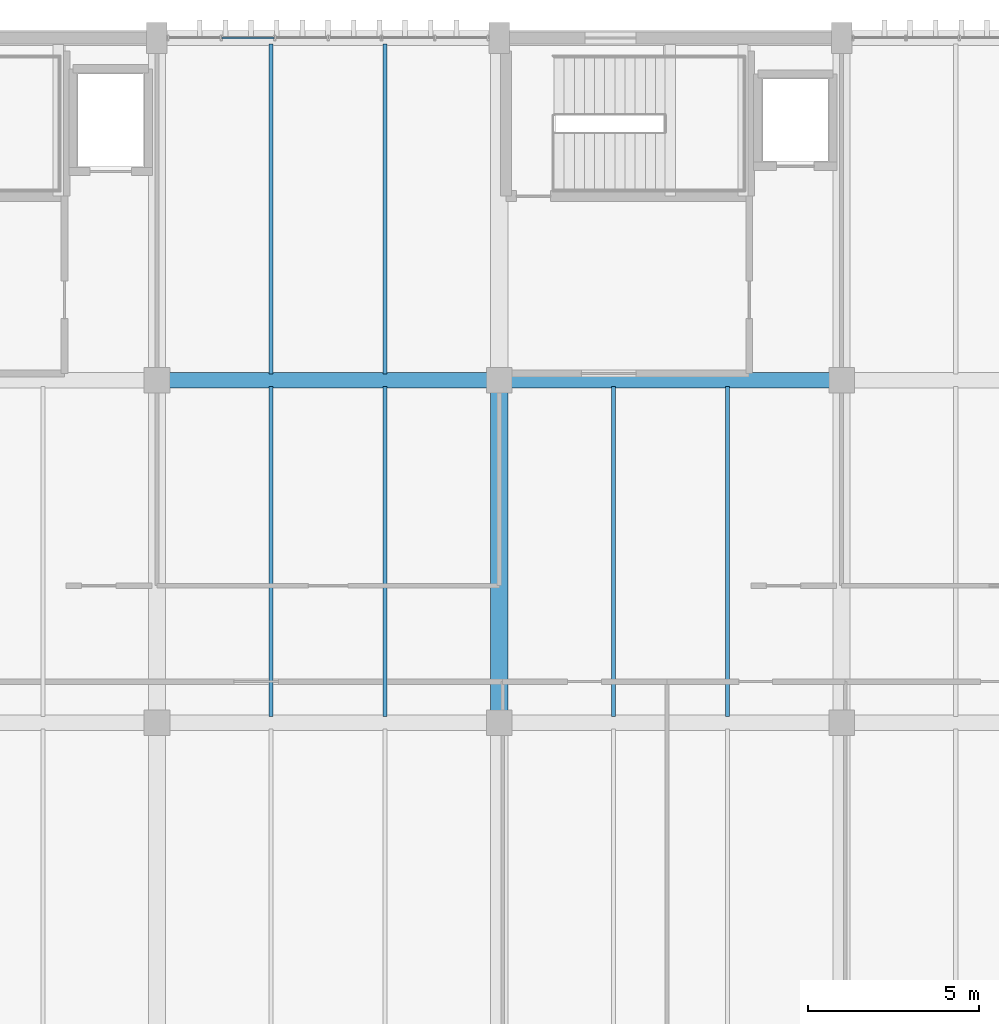
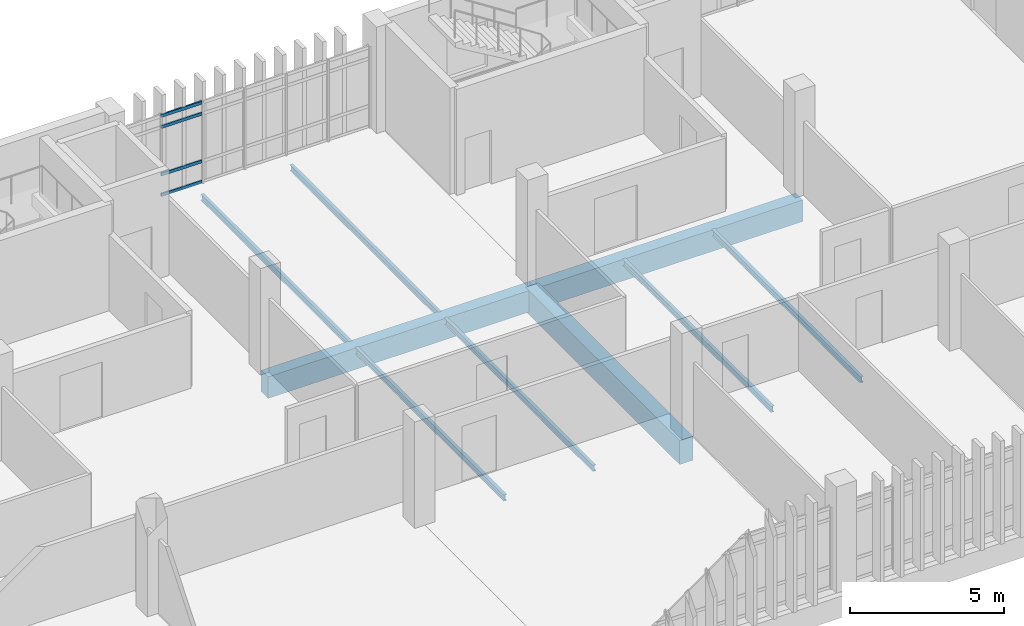
# One storey, part 56 of 111: 9 beams, 4 members, 1 element without a shape of its own.
"""IFC4 building model written with IfcOpenShell, lengths in metres."""

from ifc_helpers import new_model, si_unit, direction, frame, origin, origin_2d, place, context, subcontext, project, spatial, rectangle, hollow_rectangle, i_section, extrude, material, layer, layer_set, material_profile, profile_set, type_object, element, aggregate, save


model = new_model("IFC4")

# Units and contexts
model_context = context("Model", 3, precision=1e-05, world=origin(), true_north=direction((0.0, 1.0)))
body_context = subcontext(model_context, "Body", "Model", "MODEL_VIEW")
ifc_project = project(units=[si_unit("LENGTHUNIT", "METRE"), si_unit("AREAUNIT", "SQUARE_METRE"), si_unit("VOLUMEUNIT", "CUBIC_METRE"), si_unit("PLANEANGLEUNIT", "RADIAN"), si_unit("MASSUNIT", "GRAM", prefix="KILO")], contexts=[model_context])

# Site, building, storey
site_placement = place(None, origin())
site = spatial("IfcSite", under=ifc_project, at=site_placement, CompositionType="ELEMENT")
building_placement = place(site_placement, origin())
building = spatial("IfcBuilding", under=site, at=building_placement, Name="Mersad Railyard Sports Hall", CompositionType="ELEMENT")
storey_placement = place(building_placement, frame((0.0, 0.0, 9.0)))
storey = spatial("IfcBuildingStorey", under=building, at=storey_placement, Name="L02", CompositionType="ELEMENT", Elevation=9.0)

# Curtain wall, members
ifc_material_1 = material(Name="Aluminium 6063-T6", Category="aluminium")
ifc_layer = layer(ifc_material_1, 0.159912109375)
ifc_layer_set = layer_set([ifc_layer], Name="Aluminium 6063-T6")
curtain_wall_type = type_object("IfcCurtainWallType", Name="ARC-CW-CW53", PredefinedType="USERDEFINED", material=ifc_layer_set)
curtain_wall_placement = place(storey_placement, origin())
curtain_wall = element("IfcCurtainWall", 1, at=curtain_wall_placement, inside=storey, type_object=curtain_wall_type, Name="Curtain wall CW53-0141", ObjectType="CURTAIN WALL", PredefinedType="USERDEFINED")
ifc_material_profile_1 = material_profile(ifc_material_1, hollow_rectangle(XDim=0.06005859375, YDim=0.1201171875, WallThickness=0.00390625, at=origin_2d()), Name="AL TRANSOM 60x120x4")
ifc_profile_set_1 = profile_set([ifc_material_profile_1], Name="Aluminium 6063-T6")
member_type = type_object("IfcMemberType", Name="ARC-CW-TRN01", PredefinedType="USERDEFINED", material=ifc_profile_set_1)
member_1_placement = place(storey_placement, frame((102.89990234375, 115.0, 0.0400390625), z_axis=(1.0, 0.0, 0.0), x_axis=(0.0, 1.0, 0.0)))
member_1 = element("IfcMember", 2, at=member_1_placement, type_object=member_type, Name="CW53 Transom 1-2", ObjectType="TRANSOM", PredefinedType="USERDEFINED", context=body_context, shape_type="SweptSolid", body=[
    extrude(hollow_rectangle(XDim=0.06005859375, YDim=0.1201171875, WallThickness=0.00390625, at=origin_2d()), origin(), (0.0, 0.0, 1.0), 1.52001953125),
])
member_2_placement = place(storey_placement, frame((102.89990234375, 115.0, 0.85009765625), z_axis=(1.0, 0.0, 0.0), x_axis=(0.0, 1.0, 0.0)))
member_2 = element("IfcMember", 3, at=member_2_placement, type_object=member_type, Name="CW53 Transom 2-2", ObjectType="TRANSOM", PredefinedType="USERDEFINED", context=body_context, shape_type="SweptSolid", body=[
    extrude(hollow_rectangle(XDim=0.06005859375, YDim=0.1201171875, WallThickness=0.00390625, at=origin_2d()), origin(), (0.0, 0.0, 1.0), 1.52001953125),
])
member_3_placement = place(storey_placement, frame((102.89990234375, 115.0, 2.72998046875), z_axis=(1.0, 0.0, 0.0), x_axis=(0.0, 1.0, 0.0)))
member_3 = element("IfcMember", 4, at=member_3_placement, type_object=member_type, Name="CW53 Transom 3-2", ObjectType="TRANSOM", PredefinedType="USERDEFINED", context=body_context, shape_type="SweptSolid", body=[
    extrude(hollow_rectangle(XDim=0.06005859375, YDim=0.1201171875, WallThickness=0.00390625, at=origin_2d()), origin(), (0.0, 0.0, 1.0), 1.52001953125),
])
member_4_placement = place(storey_placement, frame((102.89990234375, 115.0, 3.169921875), z_axis=(1.0, 0.0, 0.0), x_axis=(0.0, 1.0, 0.0)))
member_4 = element("IfcMember", 5, at=member_4_placement, type_object=member_type, Name="CW53 Transom 4-2", ObjectType="TRANSOM", PredefinedType="USERDEFINED", context=body_context, shape_type="SweptSolid", body=[
    extrude(hollow_rectangle(XDim=0.06005859375, YDim=0.1201171875, WallThickness=0.00390625, at=origin_2d()), origin(), (0.0, 0.0, 1.0), 1.52001953125),
])
aggregate(curtain_wall, [member_1, member_2, member_3, member_4])

# Beams
ifc_material_2 = material(Name="Concrete C40/50", Category="concrete")
ifc_material_profile_2 = material_profile(ifc_material_2, rectangle(XDim=0.449951171875, YDim=0.85009765625, at=origin_2d()), Name="RC 450x850")
ifc_profile_set_2 = profile_set([ifc_material_profile_2], Name="Concrete C40/50")
beam_type_1 = type_object("IfcBeamType", Name="STR-BM-B02", PredefinedType="BEAM", material=ifc_profile_set_2)
for number, where, z_axis, x_axis, name in (
    (6, (101.0, 105.0, -0.72509765625), (1.0, 0.0, 0.0), (0.0, 1.0, 0.0), "Beam B02-1086"),
    (7, (111.0, 105.0, -0.72509765625), (1.0, 0.0, 0.0), (0.0, 1.0, 0.0), "Beam B02-1087"),
):
    element("IfcBeam", number, at=place(storey_placement, frame(where, z_axis=z_axis, x_axis=x_axis)), inside=storey, type_object=beam_type_1, Name=name, PredefinedType="BEAM", context=body_context, shape_type="SweptSolid", body=[
        extrude(rectangle(XDim=0.449951171875, YDim=0.85009765625, at=origin_2d()), origin(), (0.0, 0.0, 1.0), 10.0),
    ])
ifc_material_3 = material(Name="Concrete C50/60", Category="concrete")
ifc_material_profile_3 = material_profile(ifc_material_3, rectangle(XDim=0.5, YDim=0.949951171875, at=origin_2d()), Name="RC 500x950")
ifc_profile_set_3 = profile_set([ifc_material_profile_3], Name="Concrete C50/60")
beam_type_2 = type_object("IfcBeamType", Name="STR-BM-B03", PredefinedType="BEAM", material=ifc_profile_set_3)
beam_placement = place(storey_placement, frame((111.0, 95.0, -0.77490234375), z_axis=(0.0, 1.0, 0.0), x_axis=(-1.0, 0.0, 0.0)))
element("IfcBeam", 8, at=beam_placement, inside=storey, type_object=beam_type_2, Name="Beam B03-1116", PredefinedType="BEAM", context=body_context, shape_type="SweptSolid", body=[
    extrude(rectangle(XDim=0.5, YDim=0.949951171875, at=origin_2d()), origin(), (0.0, 0.0, 1.0), 10.0),
])
ifc_material_4 = material(Name="Steel S355", Category="steel")
ifc_material_profile_4 = material_profile(ifc_material_4, i_section(OverallWidth=0.1201171875, OverallDepth=0.239990234375, WebThickness=0.006103515625, FlangeThickness=0.009765625, at=origin_2d()), Name="IPE 240")
ifc_profile_set_4 = profile_set([ifc_material_profile_4], Name="Steel S355")
beam_type_3 = type_object("IfcBeamType", Name="STR-BM-SB03", PredefinedType="BEAM", material=ifc_profile_set_4)
for number, where, z_axis, x_axis, name in (
    (9, (104.3330078125, 95.179931640625, -0.419921875), (0.0, 1.0, 0.0), (-1.0, 0.0, 0.0), "Beam SB03-1178"),
    (10, (107.6669921875, 95.179931640625, -0.419921875), (0.0, 1.0, 0.0), (-1.0, 0.0, 0.0), "Beam SB03-1179"),
    (11, (104.3330078125, 105.179931640625, -0.419921875), (0.0, 1.0, 0.0), (-1.0, 0.0, 0.0), "Beam SB03-1180"),
    (12, (107.6669921875, 105.179931640625, -0.419921875), (0.0, 1.0, 0.0), (-1.0, 0.0, 0.0), "Beam SB03-1181"),
    (13, (114.3330078125, 95.179931640625, -0.419921875), (0.0, 1.0, 0.0), (-1.0, 0.0, 0.0), "Beam SB03-1184"),
    (14, (117.6669921875, 95.179931640625, -0.419921875), (0.0, 1.0, 0.0), (-1.0, 0.0, 0.0), "Beam SB03-1185"),
):
    element("IfcBeam", number, at=place(storey_placement, frame(where, z_axis=z_axis, x_axis=x_axis)), inside=storey, type_object=beam_type_3, Name=name, PredefinedType="BEAM", context=body_context, shape_type="SweptSolid", body=[
        extrude(i_section(OverallWidth=0.1201171875, OverallDepth=0.239990234375, WebThickness=0.006103515625, FlangeThickness=0.009765625, at=origin_2d()), origin(), (0.0, 0.0, 1.0), 9.64013671875),
    ])

save(model, "model.ifc")
